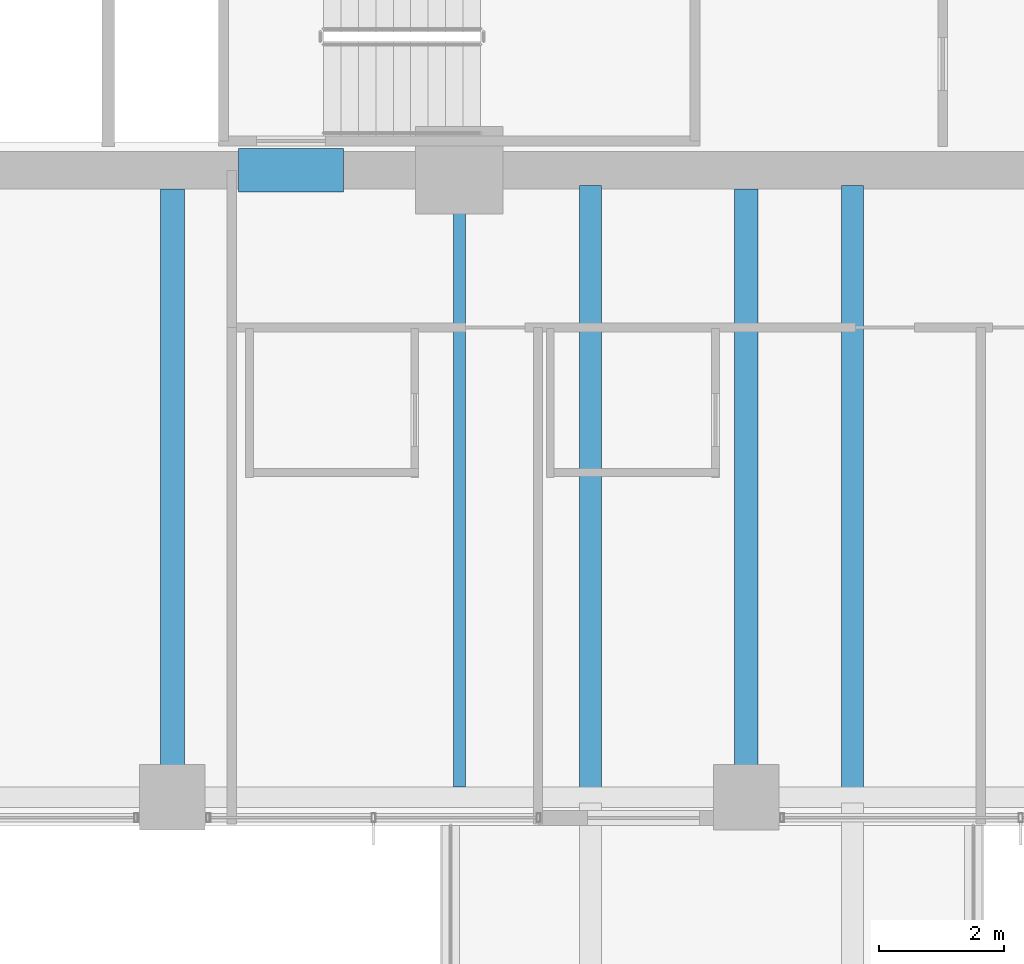
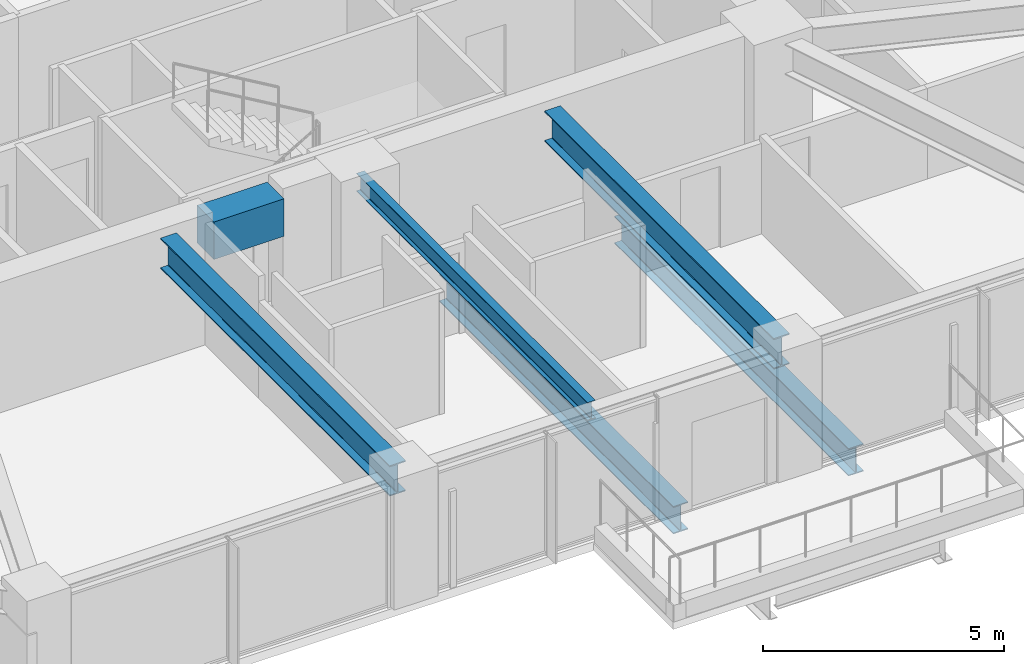
# One storey, part 6 of 38: 6 beams.
"""IFC4 building model written with IfcOpenShell, lengths in metres."""

from ifc_helpers import new_model, si_unit, direction, frame, origin, origin_2d, place, context, subcontext, project, spatial, rectangle, i_section, extrude, material, material_profile, profile_set, type_object, element, save


model = new_model("IFC4")

# Units and contexts
model_context = context("Model", 3, precision=1e-05, world=origin(), true_north=direction((0.0, 1.0)))
body_context = subcontext(model_context, "Body", "Model", "MODEL_VIEW")
ifc_project = project(units=[si_unit("LENGTHUNIT", "METRE"), si_unit("AREAUNIT", "SQUARE_METRE"), si_unit("VOLUMEUNIT", "CUBIC_METRE"), si_unit("PLANEANGLEUNIT", "RADIAN"), si_unit("MASSUNIT", "GRAM", prefix="KILO")], contexts=[model_context])

# Site, building, storey
site_placement = place(None, origin())
site = spatial("IfcSite", under=ifc_project, at=site_placement, CompositionType="ELEMENT")
building_placement = place(site_placement, origin())
building = spatial("IfcBuilding", under=site, at=building_placement, Name="Kolvaren Belvedere", CompositionType="ELEMENT")
storey_placement = place(building_placement, frame((0.0, 0.0, 101.89990234375)))
storey = spatial("IfcBuildingStorey", under=building, at=storey_placement, Name="L29", CompositionType="ELEMENT", Elevation=101.89990234375)

# Beams
ifc_material_1 = material(Name="Structural steel ASTM A992 Grade 50", Category="steel")
ifc_material_profile_1 = material_profile(ifc_material_1, i_section(OverallWidth=0.35498046875, OverallDepth=0.696044921875, WebThickness=0.015380859375, FlangeThickness=0.02490234375, FilletRadius=0.02197265625, at=origin_2d()), Name="W27X146")
ifc_profile_set_1 = profile_set([ifc_material_profile_1], Name="Structural steel ASTM A992 Grade 50")
beam_type_1 = type_object("IfcBeamType", Name="BM-GIRD-W27X146", PredefinedType="BEAM", material=ifc_profile_set_1)
for number, where, z_axis, x_axis, name in (
    (1, (2.10009765625, -10.139892578125, -0.56787109375), (0.0, -1.0, 0.0), (1.0, 0.0, 0.0), "L29 Balcony Interior Back-Span Girder SPIRAL-04-S-1"),
    (2, (6.300048828125, -10.139892578125, -0.56787109375), (0.0, -1.0, 0.0), (1.0, 0.0, 0.0), "L29 Balcony Interior Back-Span Girder SPIRAL-04-S-2"),
):
    element("IfcBeam", number, at=place(storey_placement, frame(where, z_axis=z_axis, x_axis=x_axis)), inside=storey, type_object=beam_type_1, Name=name, PredefinedType="BEAM", context=body_context, shape_type="SweptSolid", body=[
        extrude(i_section(OverallWidth=0.35498046875, OverallDepth=0.696044921875, WebThickness=0.015380859375, FlangeThickness=0.02490234375, FilletRadius=0.02197265625, at=origin_2d()), origin(), (0.0, 0.0, 1.0), 9.715087890625),
    ])
ifc_material_2 = material(Name="Structural steel ASTM A992 Grade 50", Category="steel")
ifc_material_profile_2 = material_profile(ifc_material_2, i_section(OverallWidth=0.381103515625, OverallDepth=0.77294921875, WebThickness=0.0166015625, FlangeThickness=0.027099609375, FilletRadius=0.02392578125, at=origin_2d()), Name="W30X173")
ifc_profile_set_2 = profile_set([ifc_material_profile_2], Name="Structural steel ASTM A992 Grade 50")
beam_type_2 = type_object("IfcBeamType", Name="BM-GIRD-W30X173", PredefinedType="BEAM", material=ifc_profile_set_2)
for number, where, z_axis, x_axis, name in (
    (3, (4.60009765625, -10.199951171875, 2.693603515625), (0.0, -1.0, 0.0), (1.0, 0.0, 0.0), "L29 South Radial Girder P"),
    (4, (-4.60009765625, -10.199951171875, 2.693603515625), (0.0, -1.0, 0.0), (1.0, 0.0, 0.0), "L29 South Radial Girder M"),
):
    element("IfcBeam", number, at=place(storey_placement, frame(where, z_axis=z_axis, x_axis=x_axis)), inside=storey, type_object=beam_type_2, Name=name, PredefinedType="BEAM", context=body_context, shape_type="SweptSolid", body=[
        extrude(i_section(OverallWidth=0.381103515625, OverallDepth=0.77294921875, WebThickness=0.0166015625, FlangeThickness=0.027099609375, FilletRadius=0.02392578125, at=origin_2d()), origin(), (0.0, 0.0, 1.0), 9.513916015625),
    ])
ifc_material_3 = material(Name="Structural steel ASTM A992 Grade 50", Category="steel")
ifc_material_profile_3 = material_profile(ifc_material_3, i_section(OverallWidth=0.19091796875, OverallDepth=0.4599609375, WebThickness=0.010009765625, FlangeThickness=0.01611328125, FilletRadius=0.014892578125, at=origin_2d()), Name="W18X55")
ifc_profile_set_3 = profile_set([ifc_material_profile_3], Name="Structural steel ASTM A992 Grade 50")
beam_type_3 = type_object("IfcBeamType", Name="BM-JOIST-W18X55", PredefinedType="BEAM", material=ifc_profile_set_3)
beam_1_placement = place(storey_placement, frame((0.0, -10.199951171875, 2.85009765625), z_axis=(0.0, -1.0, 0.0), x_axis=(1.0, 0.0, 0.0)))
element("IfcBeam", 5, at=beam_1_placement, inside=storey, type_object=beam_type_3, Name="L29 South Centre Floor Beam", PredefinedType="BEAM", context=body_context, shape_type="SweptSolid", body=[
    extrude(i_section(OverallWidth=0.19091796875, OverallDepth=0.4599609375, WebThickness=0.010009765625, FlangeThickness=0.01611328125, FilletRadius=0.014892578125, at=origin_2d()), origin(), (0.0, 0.0, 1.0), 9.587646484375),
])
ifc_material_4 = material(Name="Concrete C60/75", Category="concrete")
ifc_material_profile_4 = material_profile(ifc_material_4, rectangle(XDim=0.699951171875, YDim=0.949951171875, at=origin_2d()), Name="RC 700X950")
ifc_profile_set_4 = profile_set([ifc_material_profile_4], Name="Concrete C60/75")
beam_type_4 = type_object("IfcBeamType", Name="BM-LINT-950", PredefinedType="LINTEL", material=ifc_profile_set_4)
beam_2_placement = place(storey_placement, frame((-3.5400390625, -9.89990234375, 2.60498046875), z_axis=(1.0, 0.0, 0.0), x_axis=(0.0, 1.0, 0.0)))
element("IfcBeam", 6, at=beam_2_placement, inside=storey, type_object=beam_type_4, Name="L29 South Core Coupling Lintel", PredefinedType="LINTEL", context=body_context, shape_type="SweptSolid", body=[
    extrude(rectangle(XDim=0.699951171875, YDim=0.949951171875, at=origin_2d()), origin(), (0.0, 0.0, 1.0), 1.679931640625),
])

save(model, "model.ifc")
